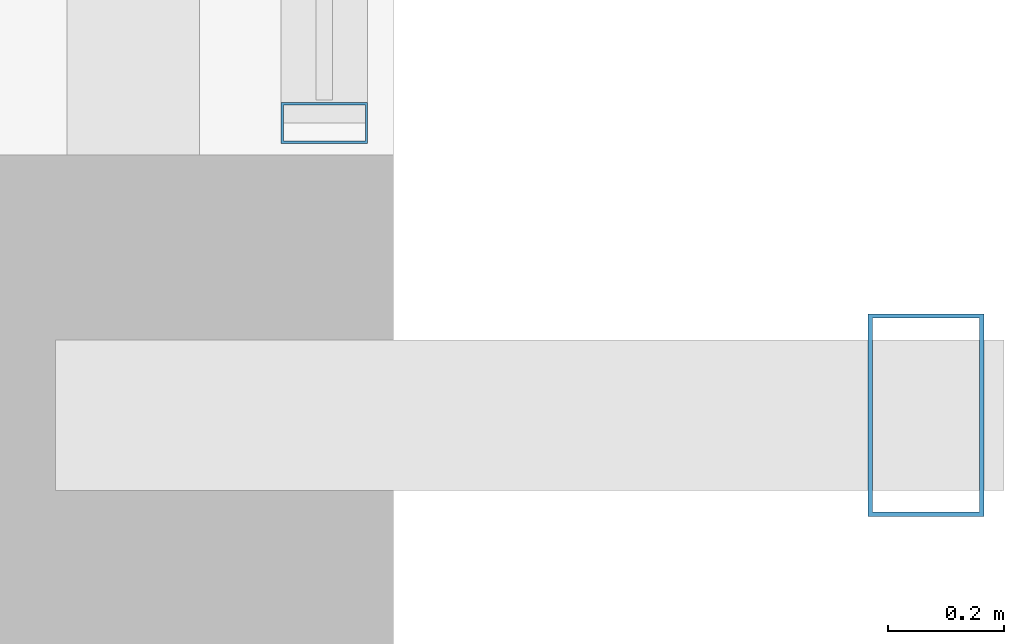
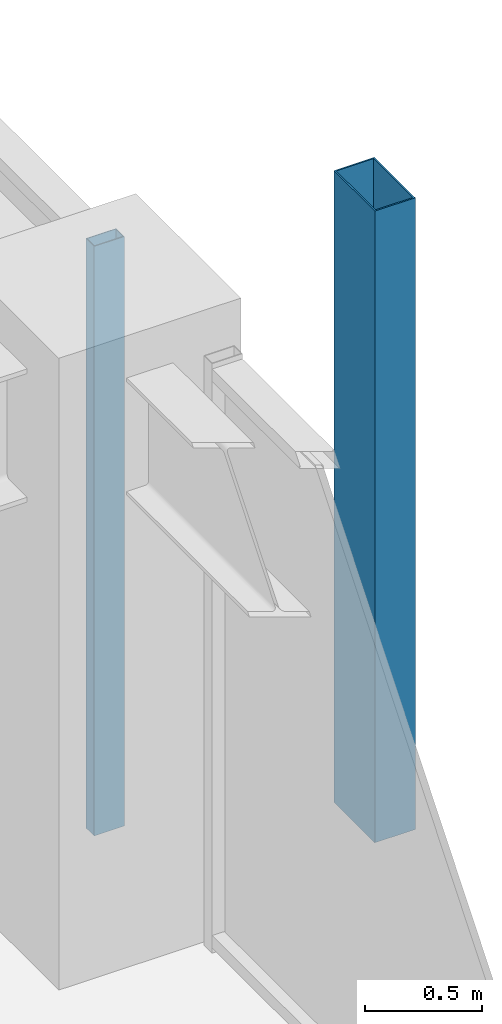
# One storey, part 15 of 37: 2 members, 1 element without a shape of its own.
"""IFC4 building model written with IfcOpenShell, lengths in metres."""

import ifcopenshell
import ifcopenshell.guid

model = None  # the IFC model being written
_history = None  # IfcOwnerHistory: only IFC2X3 demands one
_inside = {}  # id of a spatial element -> (the spatial element, [elements in it])
_under = {}  # id of a project, library or spatial element -> (it, [spatial elements below it])
_declared = {}  # id of a project -> (the project, [libraries it declares])
_typed = {}  # id of a type object -> (the type object, [elements of that type])
_made_of = {}  # id of a material, layer set ... -> (it, [elements and type objects made of it])


def new_model(schema):
    """Start an empty IFC model of exactly this schema.

    Asked for "IFC4X3", IfcOpenShell would pick the latest addendum, in which some entities
    have other attributes; the version numbers below select the first issue.
    IFC2X3 requires an IfcOwnerHistory on every rooted entity: one is made here for all.
    """
    global model, _history
    if schema == "IFC4X3":
        model = ifcopenshell.file(schema_version=(4, 3, 0, 0))
    else:
        model = ifcopenshell.file(schema=schema)
    _inside.clear()
    _under.clear()
    _declared.clear()
    _typed.clear()
    _made_of.clear()
    _history = None
    if model.schema == "IFC2X3":
        org = make("IfcOrganization", Name="unknown")
        user = make(
            "IfcPersonAndOrganization",
            ThePerson=make("IfcPerson", FamilyName="unknown"),
            TheOrganization=org,
        )
        app = make(
            "IfcApplication",
            ApplicationDeveloper=org,
            Version="unknown",
            ApplicationFullName="unknown",
            ApplicationIdentifier="unknown",
        )
        _history = make(
            "IfcOwnerHistory",
            OwningUser=user,
            OwningApplication=app,
            ChangeAction="ADDED",
            CreationDate=0,
        )
    return model


def make(cls, **values):
    """One entity of the class cls with the attributes given. An attribute that is None is left unset."""
    return model.create_entity(
        cls, **{name: value for name, value in values.items() if value is not None}
    )


def rooted(cls, **values):
    """An entity with a GlobalId (a new one), such as an element, a storey or a relation."""
    return make(cls, GlobalId=ifcopenshell.guid.new(), OwnerHistory=_history, **values)


def si_unit(unit_type, name, prefix=None):
    """IfcSIUnit, for example si_unit("LENGTHUNIT", "METRE", prefix="MILLI")."""
    return make("IfcSIUnit", UnitType=unit_type, Prefix=prefix, Name=name)


def assignment(units):
    """IfcUnitAssignment: the units of a project."""
    return None if units is None else make("IfcUnitAssignment", Units=units)


def point(xyz):
    """IfcCartesianPoint."""
    return None if xyz is None else make("IfcCartesianPoint", Coordinates=xyz)


def direction(xyz):
    """IfcDirection."""
    return None if xyz is None else make("IfcDirection", DirectionRatios=xyz)


def frame(location, z_axis=None, x_axis=None):
    """IfcAxis2Placement3D, a coordinate frame: its origin and axes. An axis left out is left unset."""
    return make(
        "IfcAxis2Placement3D",
        Location=point(location),
        Axis=direction(z_axis),
        RefDirection=direction(x_axis),
    )


def frame_2d(location, x_axis=None):
    """IfcAxis2Placement2D, a coordinate frame in the plane: its origin and x axis."""
    return make(
        "IfcAxis2Placement2D", Location=point(location), RefDirection=direction(x_axis)
    )


def origin():
    """The frame at (0, 0, 0) with its axes left unset."""
    return frame((0.0, 0.0, 0.0))


def origin_2d():
    """The frame at (0, 0) in the plane with its x axis left unset."""
    return frame_2d((0.0, 0.0))


def place(relative_to, where):
    """IfcLocalPlacement: puts the frame where relative to a parent placement (None: the world)."""
    return make(
        "IfcLocalPlacement", PlacementRelTo=relative_to, RelativePlacement=where
    )


def context(
    kind, dimensions, precision=None, world=None, true_north=None, identifier=None
):
    """IfcGeometricRepresentationContext, for example the 3D "Model" context."""
    return make(
        "IfcGeometricRepresentationContext",
        ContextIdentifier=identifier,
        ContextType=kind,
        CoordinateSpaceDimension=dimensions,
        Precision=precision,
        WorldCoordinateSystem=world,
        TrueNorth=true_north,
    )


def subcontext(parent, identifier, kind, view, scale=None):
    """IfcGeometricRepresentationSubContext, for example "Body" below "Model"."""
    return make(
        "IfcGeometricRepresentationSubContext",
        ContextIdentifier=identifier,
        ContextType=kind,
        ParentContext=parent,
        TargetScale=scale,
        TargetView=view,
    )


def project(units=None, contexts=None):
    """IfcProject with its units and contexts."""
    return rooted(
        "IfcProject",
        Name="project",
        RepresentationContexts=contexts,
        UnitsInContext=assignment(units),
    )


def spatial(cls, under=None, at=None, **own):
    """A site, building, storey or space (cls), placed at a placement, below another one or the project."""
    s = rooted(cls, ObjectPlacement=at, **own)
    if under is not None:
        _under.setdefault(under.id(), (under, []))[1].append(s)
    return s


def profile(cls, at=None, kind="AREA", **sizes):
    """A parametric profile (cls). Its sizes go by their IFC names, for example OverallWidth=200.0."""
    return make(cls, ProfileType=kind, Position=at, **sizes)


def hollow_rectangle(**sizes):
    """IfcRectangleHollowProfileDef."""
    return profile("IfcRectangleHollowProfileDef", **sizes)


def extrude(swept, where, along, depth):
    """IfcExtrudedAreaSolid: the profile swept, set in the frame where, extruded along a direction by depth."""
    return make(
        "IfcExtrudedAreaSolid",
        SweptArea=swept,
        Position=where,
        ExtrudedDirection=direction(along),
        Depth=depth,
    )


def shape(context_of_items, identifier, shape_type, items):
    """IfcShapeRepresentation: the items that make up one representation, for example the "Body"."""
    return make(
        "IfcShapeRepresentation",
        ContextOfItems=context_of_items,
        RepresentationIdentifier=identifier,
        RepresentationType=shape_type,
        Items=items,
    )


def material(Name=None, Category=None):
    """IfcMaterial."""
    return make("IfcMaterial", Name=Name, Category=Category)


def material_profile(
    of_material, cross_section, Name=None, Category=None, Priority=None
):
    """IfcMaterialProfile: a cross section and its material."""
    return make(
        "IfcMaterialProfile",
        Name=Name,
        Material=of_material,
        Profile=cross_section,
        Priority=Priority,
        Category=Category,
    )


def profile_set(profiles, Name=None, composite=None):
    """IfcMaterialProfileSet."""
    return make(
        "IfcMaterialProfileSet",
        Name=Name,
        MaterialProfiles=profiles,
        CompositeProfile=composite,
    )


def made_of(thing, what):
    """Note that an element or type object is made of a material, layer set ...; save() writes the relation."""
    if what is not None:
        _made_of.setdefault(what.id(), (what, []))[1].append(thing)
    return thing


def type_object(cls, material=None, **own):
    """A type object (cls), such as IfcWallType, which elements share."""
    return made_of(rooted(cls, **own), material)


def element(
    cls,
    number,
    at=None,
    inside=None,
    cuts=None,
    type_object=None,
    material=None,
    context=None,
    identifier="Body",
    shape_type=None,
    held_by="IfcProductDefinitionShape",
    body=None,
    shapes=None,
    **own,
):
    """One element of the class cls, such as IfcWall. Its Tag is "e" and its number.

    at: its placement. inside: the storey or other place that contains it. cuts: it is an
    opening in that element (IfcRelVoidsElement). A single representation is given by context,
    identifier, shape_type and body (its items); several are given by shapes. held_by: the class
    of the entity that holds the representations. save() writes the other relations.
    """
    e = rooted(cls, Tag="e%d" % number, ObjectPlacement=at, **own)
    if body is not None:
        shapes = [shape(context, identifier, shape_type, body)]
    if shapes is not None:
        e.Representation = make(held_by, Representations=shapes)
    if inside is not None:
        _inside.setdefault(inside.id(), (inside, []))[1].append(e)
    if cuts is not None:
        rooted(
            "IfcRelVoidsElement", RelatingBuildingElement=cuts, RelatedOpeningElement=e
        )
    if type_object is not None:
        _typed.setdefault(type_object.id(), (type_object, []))[1].append(e)
    return made_of(e, material)


def aggregate(whole, parts):
    """IfcRelAggregates: a whole, such as a stair, and the parts it consists of."""
    return rooted("IfcRelAggregates", RelatingObject=whole, RelatedObjects=parts)


def save(model, path):
    """Write the relations noted so far, then the file.

    IfcRelAggregates (storeys below a building ...), IfcRelContainedInSpatialStructure (elements
    in a storey), IfcRelDefinesByType, IfcRelAssociatesMaterial and IfcRelDeclares: one each for
    every whole, place, type object, material and project.
    """
    for whole, parts in _under.values():
        aggregate(whole, parts)
    for where, things in _inside.values():
        rooted(
            "IfcRelContainedInSpatialStructure",
            RelatedElements=things,
            RelatingStructure=where,
        )
    for kind, things in _typed.values():
        rooted("IfcRelDefinesByType", RelatedObjects=things, RelatingType=kind)
    for what, things in _made_of.values():
        rooted("IfcRelAssociatesMaterial", RelatedObjects=things, RelatingMaterial=what)
    for by, libraries in _declared.values():
        rooted("IfcRelDeclares", RelatingContext=by, RelatedDefinitions=libraries)
    model.write(path)


model = new_model("IFC4")

# Units and contexts
model_context = context("Model", 3, precision=1e-05, world=origin(), true_north=direction((0.0, 1.0)))
body_context = subcontext(model_context, "Body", "Model", "MODEL_VIEW")
ifc_project = project(units=[si_unit("LENGTHUNIT", "METRE"), si_unit("AREAUNIT", "SQUARE_METRE"), si_unit("VOLUMEUNIT", "CUBIC_METRE"), si_unit("PLANEANGLEUNIT", "RADIAN"), si_unit("MASSUNIT", "GRAM", prefix="KILO")], contexts=[model_context])

# Site, building, storey
site_placement = place(None, origin())
site = spatial("IfcSite", under=ifc_project, at=site_placement, CompositionType="ELEMENT")
building_placement = place(site_placement, origin())
building = spatial("IfcBuilding", under=site, at=building_placement, Name="Kolvaren Belvedere", CompositionType="ELEMENT")
storey_placement = place(building_placement, frame((0.0, 0.0, 180.0)))
storey = spatial("IfcBuildingStorey", under=building, at=storey_placement, Name="L52", CompositionType="ELEMENT", Elevation=180.0)

# Curtain wall, member
ifc_material_1 = material(Name="Anodised pale-metal aluminium AA 6063-T6", Category="aluminium")
curtain_wall_type = type_object("IfcCurtainWallType", Name="CW-Z5-HIGH", PredefinedType="NOTDEFINED", material=ifc_material_1)
curtain_wall_placement = place(storey_placement, origin())
curtain_wall = element("IfcCurtainWall", 1, at=curtain_wall_placement, inside=storey, type_object=curtain_wall_type, Name="L52 Unitised Curtain Wall FCW-L52-E-B1", PredefinedType="NOTDEFINED")
ifc_material_2 = material(Name="Anodised pale-metal aluminium AA 6063-T6", Category="aluminium")
ifc_material_profile_1 = material_profile(ifc_material_2, hollow_rectangle(XDim=0.070068359375, YDim=0.14990234375, WallThickness=0.004150390625, at=origin_2d()), Name="ALU-MUL-150X70")
ifc_profile_set_1 = profile_set([ifc_material_profile_1], Name="Anodised pale-metal aluminium AA 6063-T6")
member_type_1 = type_object("IfcMemberType", Name="CW-MUL-150", PredefinedType="MULLION", material=ifc_profile_set_1)
member_1_placement = place(storey_placement, frame((20.280029296875, 5.10498046875, 0.0), z_axis=(0.0, 0.0, 1.0), x_axis=(0.0, 1.0, 0.0)))
member_1 = element("IfcMember", 2, at=member_1_placement, type_object=member_type_1, Name="FCW-L52-E-B1 Unitised Mullion 3", PredefinedType="MULLION", context=body_context, shape_type="SweptSolid", body=[
    extrude(hollow_rectangle(XDim=0.070068359375, YDim=0.14990234375, WallThickness=0.004150390625, at=origin_2d()), origin(), (0.0, 0.0, 1.0), 3.080078125),
])
aggregate(curtain_wall, [member_1])

# Member
ifc_material_3 = material(Name="Anodised pale-metal aluminium AA 6063-T6", Category="aluminium")
ifc_material_profile_2 = material_profile(ifc_material_3, hollow_rectangle(XDim=0.199951171875, YDim=0.35009765625, WallThickness=0.007568359375, at=origin_2d()), Name="ALU-PF-350X200")
ifc_profile_set_2 = profile_set([ifc_material_profile_2], Name="Anodised pale-metal aluminium AA 6063-T6")
member_type_2 = type_object("IfcMemberType", Name="PF-FRAME-350", PredefinedType="USERDEFINED", material=ifc_profile_set_2)
member_2_placement = place(storey_placement, frame((21.320068359375, 4.60009765625, 0.0), z_axis=(0.0, 0.0, 1.0), x_axis=(1.0, 0.0, 0.0)))
element("IfcMember", 3, at=member_2_placement, inside=storey, type_object=member_type_2, Name="L52 Outboard Picture-Frame Vertical E1", ObjectType="PICTURE FRAME FIN", PredefinedType="USERDEFINED", context=body_context, shape_type="SweptSolid", body=[
    extrude(hollow_rectangle(XDim=0.199951171875, YDim=0.35009765625, WallThickness=0.007568359375, at=origin_2d()), origin(), (0.0, 0.0, 1.0), 3.300048828125),
])

save(model, "model.ifc")
